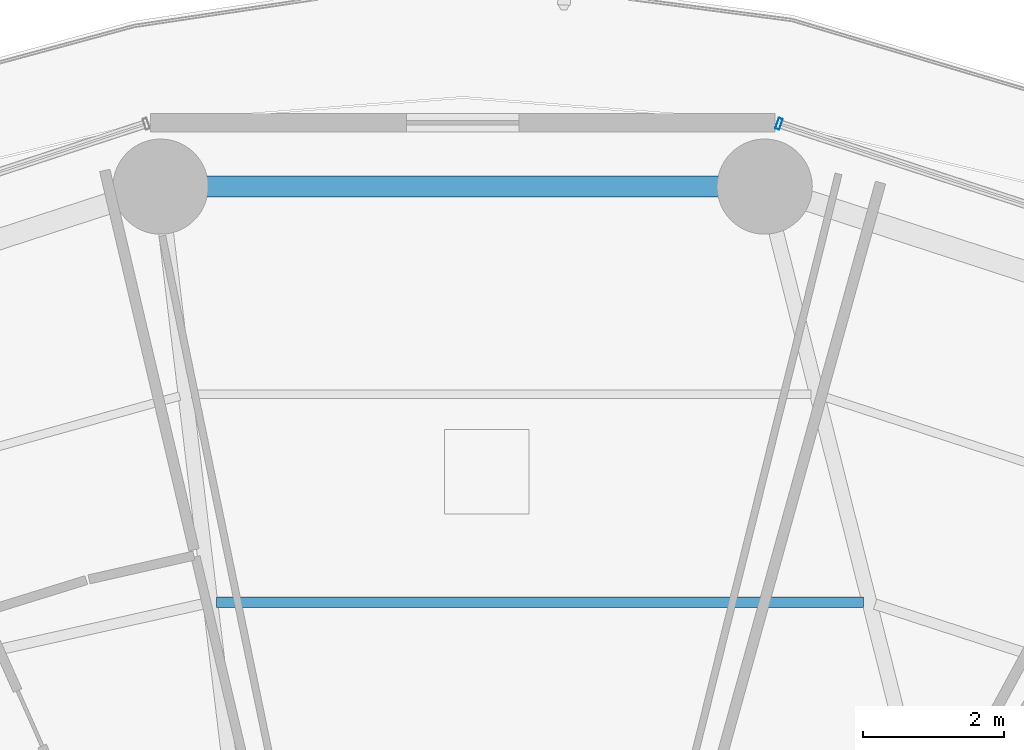
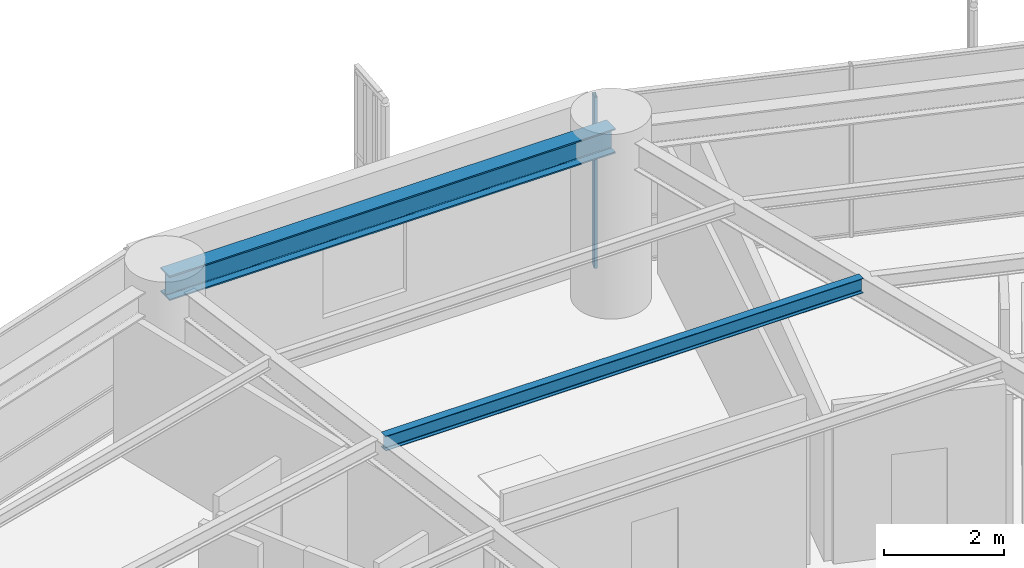
# One storey, part 23 of 38: 2 beams, 1 member, 1 element without a shape of its own.
"""IFC4 building model written with IfcOpenShell, lengths in metres."""

from ifc_helpers import new_model, si_unit, direction, frame, origin, origin_2d, place, context, subcontext, project, spatial, hollow_rectangle, i_section, extrude, material, layer, layer_set, material_profile, profile_set, type_object, element, aggregate, save


model = new_model("IFC4")

# Units and contexts
model_context = context("Model", 3, precision=1e-05, world=origin(), true_north=direction((0.0, 1.0)))
body_context = subcontext(model_context, "Body", "Model", "MODEL_VIEW")
ifc_project = project(units=[si_unit("LENGTHUNIT", "METRE"), si_unit("AREAUNIT", "SQUARE_METRE"), si_unit("VOLUMEUNIT", "CUBIC_METRE"), si_unit("PLANEANGLEUNIT", "RADIAN"), si_unit("MASSUNIT", "GRAM", prefix="KILO")], contexts=[model_context])

# Site, building, storey
site_placement = place(None, origin())
site = spatial("IfcSite", under=ifc_project, at=site_placement, CompositionType="ELEMENT")
building_placement = place(site_placement, origin())
building = spatial("IfcBuilding", under=site, at=building_placement, Name="Kelanora Arch Commons", CompositionType="ELEMENT")
storey_placement = place(building_placement, frame((0.0, 0.0, 106.35009765625)))
storey = spatial("IfcBuildingStorey", under=building, at=storey_placement, Name="L27", CompositionType="ELEMENT", Elevation=106.35009765625)

# Beams
ifc_material_1 = material(Name="Steel S355", Category="steel")
ifc_material_profile_1 = material_profile(ifc_material_1, i_section(OverallWidth=0.14990234375, OverallDepth=0.300048828125, WebThickness=0.007080078125, FlangeThickness=0.0107421875, FilletRadius=0.014892578125, at=origin_2d()), Name="IPE300")
ifc_profile_set_1 = profile_set([ifc_material_profile_1], Name="Steel S355")
beam_type_1 = type_object("IfcBeamType", Name="BM-JST-01", PredefinedType="JOIST", material=ifc_profile_set_1)
beam_1_placement = place(storey_placement, frame((79.686279296875, 73.8466796875, 3.33984375), z_axis=(-1.0, 0.0, 0.0), x_axis=(0.0, -1.0, 0.0)))
element("IfcBeam", 1, at=beam_1_placement, inside=storey, type_object=beam_type_1, Name="Secondary Chord Joist BJB-08 L27", PredefinedType="JOIST", context=body_context, shape_type="SweptSolid", body=[
    extrude(i_section(OverallWidth=0.14990234375, OverallDepth=0.300048828125, WebThickness=0.007080078125, FlangeThickness=0.0107421875, FilletRadius=0.014892578125, at=origin_2d()), origin(), (0.0, 0.0, 1.0), 9.1806640625),
])
ifc_material_profile_2 = material_profile(ifc_material_1, i_section(OverallWidth=0.300048828125, OverallDepth=0.5, WebThickness=0.014404296875, FlangeThickness=0.028076171875, FilletRadius=0.027099609375, at=origin_2d()), Name="HEB500")
ifc_profile_set_2 = profile_set([ifc_material_profile_2], Name="Steel S355")
beam_type_2 = type_object("IfcBeamType", Name="BM-SPN-Z2", PredefinedType="SPANDREL", material=ifc_profile_set_2)
beam_2_placement = place(storey_placement, frame((78.28564453125, 79.74462890625, 3.239990234375), z_axis=(-1.0, 0.0, 0.0), x_axis=(0.0, -1.0, 0.0)))
element("IfcBeam", 2, at=beam_2_placement, inside=storey, type_object=beam_type_2, Name="Perimeter Spandrel Beam BS-08 L27", PredefinedType="SPANDREL", context=body_context, shape_type="SweptSolid", body=[
    extrude(i_section(OverallWidth=0.300048828125, OverallDepth=0.5, WebThickness=0.014404296875, FlangeThickness=0.028076171875, FilletRadius=0.027099609375, at=origin_2d()), origin(), (0.0, 0.0, 1.0), 8.5712890625),
])

# Curtain wall, member
ifc_material_2 = material(Name="Terracotta ceramic-fritted low-E glass and aluminium", Category="masonry")
ifc_layer = layer(ifc_material_2, 0.159912109375)
ifc_layer_set = layer_set([ifc_layer], Name="Terracotta ceramic-fritted low-E glass and aluminium")
curtain_wall_type = type_object("IfcCurtainWallType", Name="CW-SYS-01", PredefinedType="NOTDEFINED", material=ifc_layer_set)
curtain_wall_placement = place(storey_placement, origin())
curtain_wall = element("IfcCurtainWall", 3, at=curtain_wall_placement, inside=storey, type_object=curtain_wall_type, Name="Unitised Curtain Wall L27-B03", PredefinedType="NOTDEFINED")
ifc_material_3 = material(Name="Powder-coated aluminium terracotta", Category="masonry")
ifc_material_profile_3 = material_profile(ifc_material_3, hollow_rectangle(XDim=0.159912109375, YDim=0.06005859375, WallThickness=0.0048828125, InnerFilletRadius=0.0048828125, OuterFilletRadius=0.010009765625, at=origin_2d()), Name="CWM160x60")
ifc_profile_set_3 = profile_set([ifc_material_profile_3], Name="Powder-coated aluminium terracotta")
member_type = type_object("IfcMemberType", Name="CWM-STD", PredefinedType="MULLION", material=ifc_profile_set_3)
member_placement = place(storey_placement, frame((78.48828125, 80.636474609375, 0.0), z_axis=(0.0, 0.0, 1.0), x_axis=(-0.31080470294, -0.950473795867, 0.0)))
member = element("IfcMember", 4, at=member_placement, type_object=member_type, Name="CW-01 mullion 3", PredefinedType="MULLION", context=body_context, shape_type="SweptSolid", body=[
    extrude(hollow_rectangle(XDim=0.159912109375, YDim=0.06005859375, WallThickness=0.0048828125, InnerFilletRadius=0.0048828125, OuterFilletRadius=0.010009765625, at=origin_2d()), origin(), (0.0, 0.0, 1.0), 3.474853515625),
])
aggregate(curtain_wall, [member])

save(model, "model.ifc")
